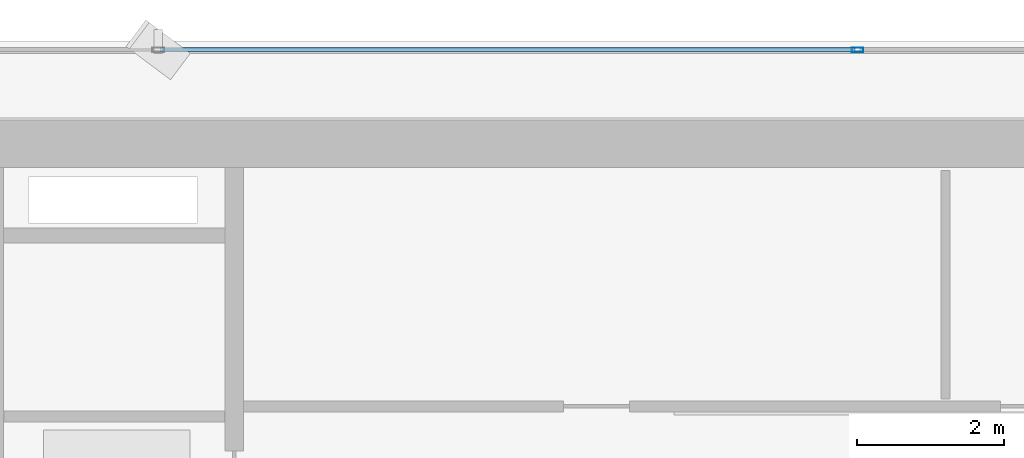
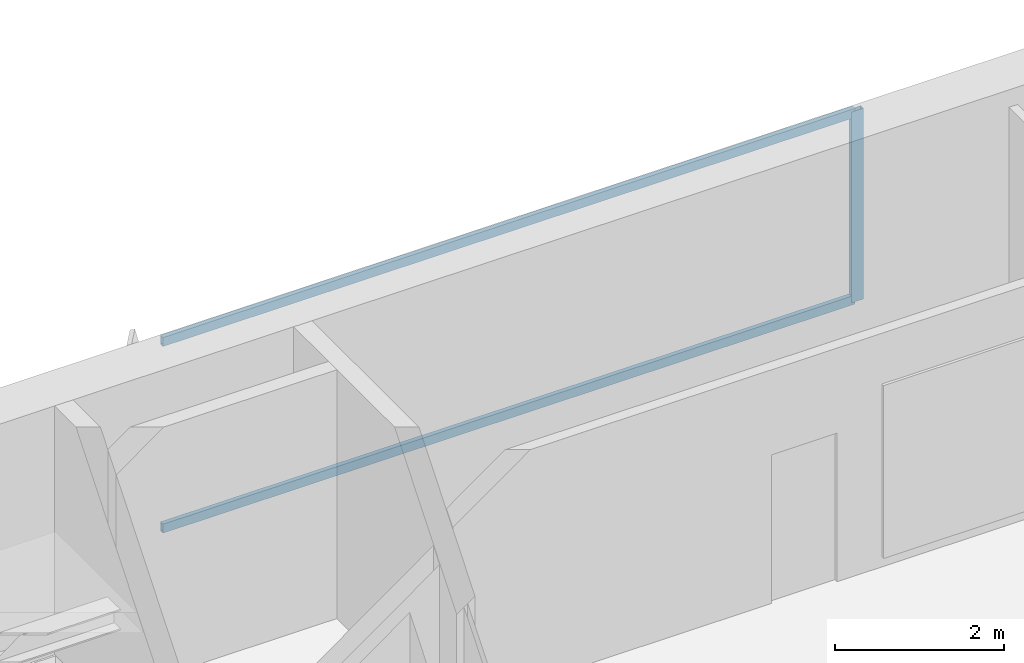
# One storey, part 16 of 29: 3 members, 1 element without a shape of its own.
"""IFC4 building model written with IfcOpenShell, lengths in metres."""

from ifc_helpers import new_model, si_unit, direction, frame, origin, origin_2d, place, context, subcontext, project, spatial, hollow_rectangle, extrude, source, transform, mapped, material, layer, layer_set, material_profile, profile_set, type_object, element, aggregate, save


model = new_model("IFC4")

# Units and contexts
model_context = context("Model", 3, precision=1e-05, world=origin(), true_north=direction((0.0, 1.0)))
body_context = subcontext(model_context, "Body", "Model", "MODEL_VIEW")
ifc_project = project(units=[si_unit("LENGTHUNIT", "METRE"), si_unit("AREAUNIT", "SQUARE_METRE"), si_unit("VOLUMEUNIT", "CUBIC_METRE"), si_unit("PLANEANGLEUNIT", "RADIAN"), si_unit("MASSUNIT", "GRAM", prefix="KILO")], contexts=[model_context])

# Site, building, storey
site_placement = place(None, origin())
site = spatial("IfcSite", under=ifc_project, at=site_placement, CompositionType="ELEMENT")
building_placement = place(site_placement, origin())
building = spatial("IfcBuilding", under=site, at=building_placement, Name="Sumidabori Civic Tower", CompositionType="ELEMENT")
storey_placement = place(building_placement, frame((0.0, 0.0, 131.60009765625)))
storey = spatial("IfcBuildingStorey", under=building, at=storey_placement, Name="L33", CompositionType="ELEMENT", Elevation=131.60009765625)

# Curtain wall, members
ifc_material = material(Name="Anodised Bronze Aluminium AW-6063-T6", Category="aluminium")
ifc_layer = layer(ifc_material, 0.179931640625, Name="Anodised Bronze Aluminium AW-6063-T6")
ifc_layer_set = layer_set([ifc_layer], Name="Anodised Bronze Aluminium AW-6063-T6")
curtain_wall_type = type_object("IfcCurtainWallType", Name="CW-SYS-3", PredefinedType="NOTDEFINED", material=ifc_layer_set)
curtain_wall_placement = place(storey_placement, origin())
curtain_wall = element("IfcCurtainWall", 1, at=curtain_wall_placement, inside=storey, type_object=curtain_wall_type, Name="Curtain Wall CW:L33:R07", PredefinedType="NOTDEFINED")
ifc_material_profile_1 = material_profile(ifc_material, hollow_rectangle(XDim=0.06494140625, YDim=0.159912109375, WallThickness=0.0048828125, at=origin_2d()), Name="ALU MULLION 160x65")
ifc_profile_set_1 = profile_set([ifc_material_profile_1], Name="Anodised Bronze Aluminium AW-6063-T6")
member_type_1 = type_object("IfcMemberType", Name="CW-MUL-160", PredefinedType="MULLION", material=ifc_profile_set_1)
shared_shape_1 = source(origin(), body_context, "Body", "SweptSolid", [
    extrude(hollow_rectangle(XDim=0.06494140625, YDim=0.159912109375, WallThickness=0.0048828125, at=origin_2d()), origin(), (0.0, 0.0, 1.0), 2.760009765625),
])
member_1_placement = place(storey_placement, frame((0.0, 25.080078125, 0.0), z_axis=(0.0, 0.0, 1.0), x_axis=(0.0, -1.0, 0.0)))
member_1 = element("IfcMember", 2, at=member_1_placement, type_object=member_type_1, Name="CW-3 mullion 3", PredefinedType="MULLION", context=body_context, shape_type="MappedRepresentation", body=[
    mapped(shared_shape_1, transform((0.0, 0.0, 0.0), x_axis=(1.0, 0.0, 0.0), y_axis=(0.0, 1.0, 0.0), z_axis=(0.0, 0.0, 1.0), scale=1.0)),
])
ifc_material_profile_2 = material_profile(ifc_material, hollow_rectangle(XDim=0.06005859375, YDim=0.1298828125, WallThickness=0.0048828125, at=origin_2d()), Name="ALU TRANSOM 130x60")
ifc_profile_set_2 = profile_set([ifc_material_profile_2], Name="Anodised Bronze Aluminium AW-6063-T6")
member_type_2 = type_object("IfcMemberType", Name="CW-TRN-130", PredefinedType="USERDEFINED", material=ifc_profile_set_2)
shared_shape_2 = source(origin(), body_context, "Body", "SweptSolid", [
    extrude(hollow_rectangle(XDim=0.06005859375, YDim=0.1298828125, WallThickness=0.0048828125, at=origin_2d()), origin(), (0.0, 0.0, 1.0), 9.469970703125),
])
member_2_placement = place(storey_placement, frame((-0.032470703125, 25.080078125, 0.02978515625), z_axis=(-1.0, 0.0, 0.0), x_axis=(0.0, -1.0, 0.0)))
member_2 = element("IfcMember", 3, at=member_2_placement, type_object=member_type_2, Name="CW-3 transom 3.1", ObjectType="TRANSOM", PredefinedType="USERDEFINED", context=body_context, shape_type="MappedRepresentation", body=[
    mapped(shared_shape_2, transform((0.0, 0.0, 0.0), x_axis=(1.0, 0.0, 0.0), y_axis=(0.0, 1.0, 0.0), z_axis=(0.0, 0.0, 1.0), scale=1.0)),
])
member_3_placement = place(storey_placement, frame((-0.032470703125, 25.080078125, 2.72998046875), z_axis=(-1.0, 0.0, 0.0), x_axis=(0.0, -1.0, 0.0)))
member_3 = element("IfcMember", 4, at=member_3_placement, type_object=member_type_2, Name="CW-3 transom 3.2", ObjectType="TRANSOM", PredefinedType="USERDEFINED", context=body_context, shape_type="MappedRepresentation", body=[
    mapped(shared_shape_2, transform((0.0, 0.0, 0.0), x_axis=(1.0, 0.0, 0.0), y_axis=(0.0, 1.0, 0.0), z_axis=(0.0, 0.0, 1.0), scale=1.0)),
])
aggregate(curtain_wall, [member_1, member_2, member_3])

save(model, "model.ifc")
